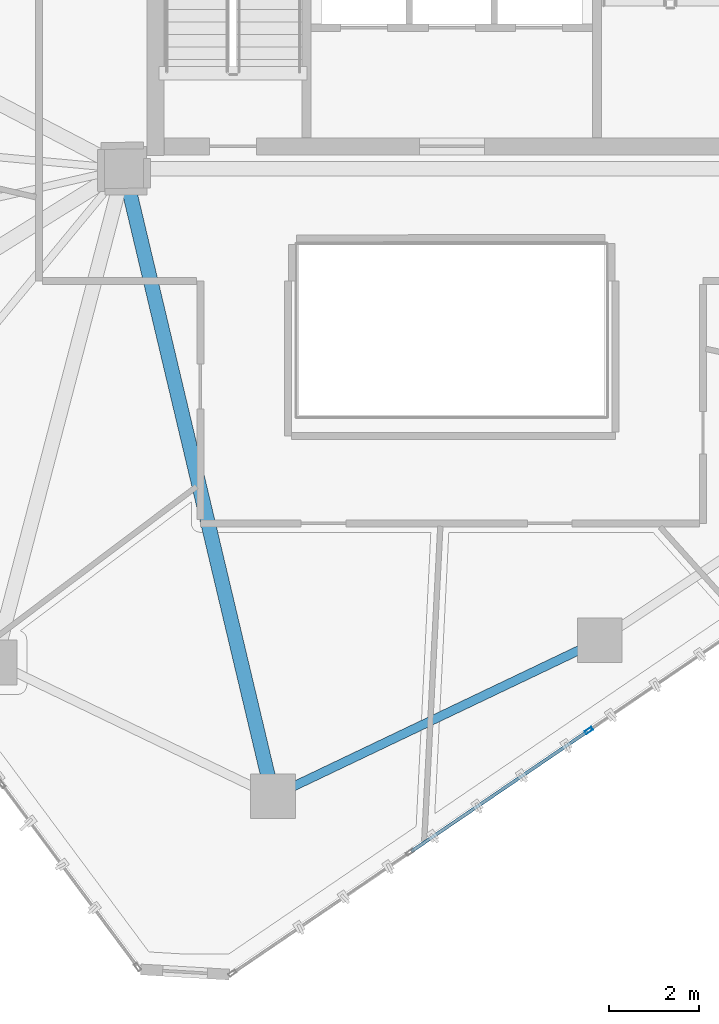
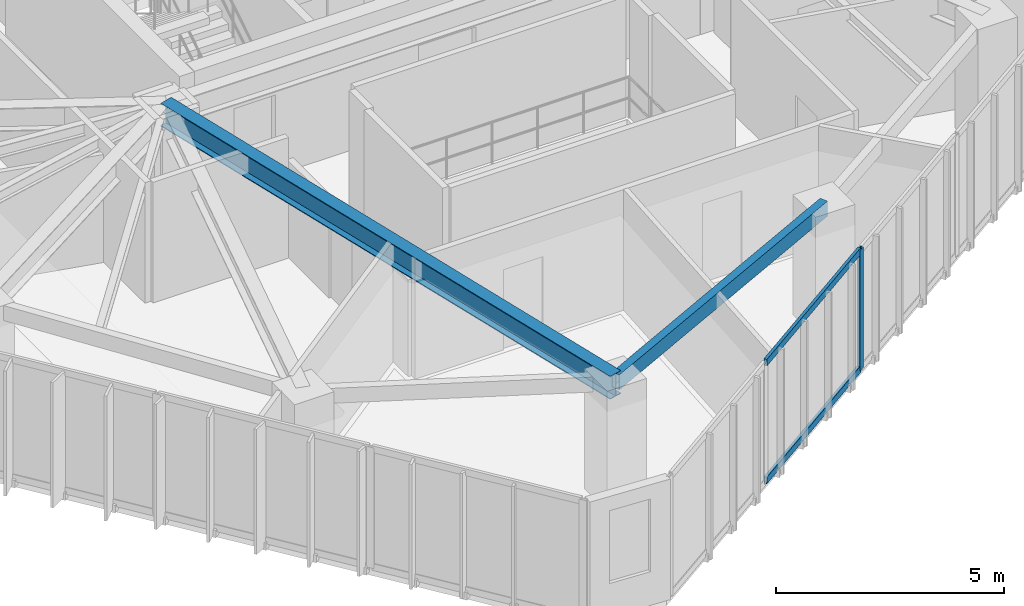
# One storey, part 4 of 20: 3 members, 2 beams, 1 element without a shape of its own.
"""IFC4 building model written with IfcOpenShell, lengths in metres."""

import ifcopenshell
import ifcopenshell.guid

model = None  # the IFC model being written
_history = None  # IfcOwnerHistory: only IFC2X3 demands one
_inside = {}  # id of a spatial element -> (the spatial element, [elements in it])
_under = {}  # id of a project, library or spatial element -> (it, [spatial elements below it])
_declared = {}  # id of a project -> (the project, [libraries it declares])
_typed = {}  # id of a type object -> (the type object, [elements of that type])
_made_of = {}  # id of a material, layer set ... -> (it, [elements and type objects made of it])


def new_model(schema):
    """Start an empty IFC model of exactly this schema.

    Asked for "IFC4X3", IfcOpenShell would pick the latest addendum, in which some entities
    have other attributes; the version numbers below select the first issue.
    IFC2X3 requires an IfcOwnerHistory on every rooted entity: one is made here for all.
    """
    global model, _history
    if schema == "IFC4X3":
        model = ifcopenshell.file(schema_version=(4, 3, 0, 0))
    else:
        model = ifcopenshell.file(schema=schema)
    _inside.clear()
    _under.clear()
    _declared.clear()
    _typed.clear()
    _made_of.clear()
    _history = None
    if model.schema == "IFC2X3":
        org = make("IfcOrganization", Name="unknown")
        user = make(
            "IfcPersonAndOrganization",
            ThePerson=make("IfcPerson", FamilyName="unknown"),
            TheOrganization=org,
        )
        app = make(
            "IfcApplication",
            ApplicationDeveloper=org,
            Version="unknown",
            ApplicationFullName="unknown",
            ApplicationIdentifier="unknown",
        )
        _history = make(
            "IfcOwnerHistory",
            OwningUser=user,
            OwningApplication=app,
            ChangeAction="ADDED",
            CreationDate=0,
        )
    return model


def make(cls, **values):
    """One entity of the class cls with the attributes given. An attribute that is None is left unset."""
    return model.create_entity(
        cls, **{name: value for name, value in values.items() if value is not None}
    )


def rooted(cls, **values):
    """An entity with a GlobalId (a new one), such as an element, a storey or a relation."""
    return make(cls, GlobalId=ifcopenshell.guid.new(), OwnerHistory=_history, **values)


def si_unit(unit_type, name, prefix=None):
    """IfcSIUnit, for example si_unit("LENGTHUNIT", "METRE", prefix="MILLI")."""
    return make("IfcSIUnit", UnitType=unit_type, Prefix=prefix, Name=name)


def assignment(units):
    """IfcUnitAssignment: the units of a project."""
    return None if units is None else make("IfcUnitAssignment", Units=units)


def point(xyz):
    """IfcCartesianPoint."""
    return None if xyz is None else make("IfcCartesianPoint", Coordinates=xyz)


def direction(xyz):
    """IfcDirection."""
    return None if xyz is None else make("IfcDirection", DirectionRatios=xyz)


def frame(location, z_axis=None, x_axis=None):
    """IfcAxis2Placement3D, a coordinate frame: its origin and axes. An axis left out is left unset."""
    return make(
        "IfcAxis2Placement3D",
        Location=point(location),
        Axis=direction(z_axis),
        RefDirection=direction(x_axis),
    )


def frame_2d(location, x_axis=None):
    """IfcAxis2Placement2D, a coordinate frame in the plane: its origin and x axis."""
    return make(
        "IfcAxis2Placement2D", Location=point(location), RefDirection=direction(x_axis)
    )


def origin():
    """The frame at (0, 0, 0) with its axes left unset."""
    return frame((0.0, 0.0, 0.0))


def origin_2d():
    """The frame at (0, 0) in the plane with its x axis left unset."""
    return frame_2d((0.0, 0.0))


def place(relative_to, where):
    """IfcLocalPlacement: puts the frame where relative to a parent placement (None: the world)."""
    return make(
        "IfcLocalPlacement", PlacementRelTo=relative_to, RelativePlacement=where
    )


def context(
    kind, dimensions, precision=None, world=None, true_north=None, identifier=None
):
    """IfcGeometricRepresentationContext, for example the 3D "Model" context."""
    return make(
        "IfcGeometricRepresentationContext",
        ContextIdentifier=identifier,
        ContextType=kind,
        CoordinateSpaceDimension=dimensions,
        Precision=precision,
        WorldCoordinateSystem=world,
        TrueNorth=true_north,
    )


def subcontext(parent, identifier, kind, view, scale=None):
    """IfcGeometricRepresentationSubContext, for example "Body" below "Model"."""
    return make(
        "IfcGeometricRepresentationSubContext",
        ContextIdentifier=identifier,
        ContextType=kind,
        ParentContext=parent,
        TargetScale=scale,
        TargetView=view,
    )


def project(units=None, contexts=None):
    """IfcProject with its units and contexts."""
    return rooted(
        "IfcProject",
        Name="project",
        RepresentationContexts=contexts,
        UnitsInContext=assignment(units),
    )


def spatial(cls, under=None, at=None, **own):
    """A site, building, storey or space (cls), placed at a placement, below another one or the project."""
    s = rooted(cls, ObjectPlacement=at, **own)
    if under is not None:
        _under.setdefault(under.id(), (under, []))[1].append(s)
    return s


def profile(cls, at=None, kind="AREA", **sizes):
    """A parametric profile (cls). Its sizes go by their IFC names, for example OverallWidth=200.0."""
    return make(cls, ProfileType=kind, Position=at, **sizes)


def hollow_rectangle(**sizes):
    """IfcRectangleHollowProfileDef."""
    return profile("IfcRectangleHollowProfileDef", **sizes)


def i_section(**sizes):
    """IfcIShapeProfileDef."""
    return profile("IfcIShapeProfileDef", **sizes)


def extrude(swept, where, along, depth):
    """IfcExtrudedAreaSolid: the profile swept, set in the frame where, extruded along a direction by depth."""
    return make(
        "IfcExtrudedAreaSolid",
        SweptArea=swept,
        Position=where,
        ExtrudedDirection=direction(along),
        Depth=depth,
    )


def shape(context_of_items, identifier, shape_type, items):
    """IfcShapeRepresentation: the items that make up one representation, for example the "Body"."""
    return make(
        "IfcShapeRepresentation",
        ContextOfItems=context_of_items,
        RepresentationIdentifier=identifier,
        RepresentationType=shape_type,
        Items=items,
    )


def source(mapping_origin, context_of_items, identifier, shape_type, items):
    """IfcRepresentationMap: a shape defined once, which mapped items show again and again."""
    return make(
        "IfcRepresentationMap",
        MappingOrigin=mapping_origin,
        MappedRepresentation=shape(context_of_items, identifier, shape_type, items),
    )


def transform(
    local_origin,
    x_axis=None,
    y_axis=None,
    z_axis=None,
    scale=None,
    scale2=None,
    scale3=None,
    uniform=True,
):
    """IfcCartesianTransformationOperator3D, or its non-uniform kind. x_axis, y_axis, z_axis: its Axis1, 2, 3."""
    if uniform:
        return make(
            "IfcCartesianTransformationOperator3D",
            Axis1=direction(x_axis),
            Axis2=direction(y_axis),
            LocalOrigin=point(local_origin),
            Scale=scale,
            Axis3=direction(z_axis),
        )
    return make(
        "IfcCartesianTransformationOperator3DnonUniform",
        Axis1=direction(x_axis),
        Axis2=direction(y_axis),
        LocalOrigin=point(local_origin),
        Scale=scale,
        Axis3=direction(z_axis),
        Scale2=scale2,
        Scale3=scale3,
    )


def mapped(mapping_source, mapping_target):
    """IfcMappedItem: shows the shape of a source again, moved by a transform."""
    return make(
        "IfcMappedItem", MappingSource=mapping_source, MappingTarget=mapping_target
    )


def material(Name=None, Category=None):
    """IfcMaterial."""
    return make("IfcMaterial", Name=Name, Category=Category)


def layer(
    of_material, thickness, ventilated=None, Name=None, Category=None, Priority=None
):
    """IfcMaterialLayer: one layer of a wall or slab, of a material (None: an air gap)."""
    return make(
        "IfcMaterialLayer",
        Material=of_material,
        LayerThickness=thickness,
        IsVentilated=ventilated,
        Name=Name,
        Category=Category,
        Priority=Priority,
    )


def layer_set(layers, Name=None):
    """IfcMaterialLayerSet."""
    return make("IfcMaterialLayerSet", MaterialLayers=layers, LayerSetName=Name)


def material_profile(
    of_material, cross_section, Name=None, Category=None, Priority=None
):
    """IfcMaterialProfile: a cross section and its material."""
    return make(
        "IfcMaterialProfile",
        Name=Name,
        Material=of_material,
        Profile=cross_section,
        Priority=Priority,
        Category=Category,
    )


def profile_set(profiles, Name=None, composite=None):
    """IfcMaterialProfileSet."""
    return make(
        "IfcMaterialProfileSet",
        Name=Name,
        MaterialProfiles=profiles,
        CompositeProfile=composite,
    )


def made_of(thing, what):
    """Note that an element or type object is made of a material, layer set ...; save() writes the relation."""
    if what is not None:
        _made_of.setdefault(what.id(), (what, []))[1].append(thing)
    return thing


def type_object(cls, material=None, **own):
    """A type object (cls), such as IfcWallType, which elements share."""
    return made_of(rooted(cls, **own), material)


def type_shapes(of_type, sources):
    """Give a type object the sources (RepresentationMaps) that its elements show as mapped items."""
    of_type.RepresentationMaps = sources


def element(
    cls,
    number,
    at=None,
    inside=None,
    cuts=None,
    type_object=None,
    material=None,
    context=None,
    identifier="Body",
    shape_type=None,
    held_by="IfcProductDefinitionShape",
    body=None,
    shapes=None,
    **own,
):
    """One element of the class cls, such as IfcWall. Its Tag is "e" and its number.

    at: its placement. inside: the storey or other place that contains it. cuts: it is an
    opening in that element (IfcRelVoidsElement). A single representation is given by context,
    identifier, shape_type and body (its items); several are given by shapes. held_by: the class
    of the entity that holds the representations. save() writes the other relations.
    """
    e = rooted(cls, Tag="e%d" % number, ObjectPlacement=at, **own)
    if body is not None:
        shapes = [shape(context, identifier, shape_type, body)]
    if shapes is not None:
        e.Representation = make(held_by, Representations=shapes)
    if inside is not None:
        _inside.setdefault(inside.id(), (inside, []))[1].append(e)
    if cuts is not None:
        rooted(
            "IfcRelVoidsElement", RelatingBuildingElement=cuts, RelatedOpeningElement=e
        )
    if type_object is not None:
        _typed.setdefault(type_object.id(), (type_object, []))[1].append(e)
    return made_of(e, material)


def aggregate(whole, parts):
    """IfcRelAggregates: a whole, such as a stair, and the parts it consists of."""
    return rooted("IfcRelAggregates", RelatingObject=whole, RelatedObjects=parts)


def save(model, path):
    """Write the relations noted so far, then the file.

    IfcRelAggregates (storeys below a building ...), IfcRelContainedInSpatialStructure (elements
    in a storey), IfcRelDefinesByType, IfcRelAssociatesMaterial and IfcRelDeclares: one each for
    every whole, place, type object, material and project.
    """
    for whole, parts in _under.values():
        aggregate(whole, parts)
    for where, things in _inside.values():
        rooted(
            "IfcRelContainedInSpatialStructure",
            RelatedElements=things,
            RelatingStructure=where,
        )
    for kind, things in _typed.values():
        rooted("IfcRelDefinesByType", RelatedObjects=things, RelatingType=kind)
    for what, things in _made_of.values():
        rooted("IfcRelAssociatesMaterial", RelatedObjects=things, RelatingMaterial=what)
    for by, libraries in _declared.values():
        rooted("IfcRelDeclares", RelatingContext=by, RelatedDefinitions=libraries)
    model.write(path)


model = new_model("IFC4")

# Units and contexts
model_context = context("Model", 3, precision=1e-05, world=origin(), true_north=direction((0.0, 1.0)))
body_context = subcontext(model_context, "Body", "Model", "MODEL_VIEW")
ifc_project = project(units=[si_unit("LENGTHUNIT", "METRE"), si_unit("AREAUNIT", "SQUARE_METRE"), si_unit("VOLUMEUNIT", "CUBIC_METRE"), si_unit("PLANEANGLEUNIT", "RADIAN"), si_unit("MASSUNIT", "GRAM", prefix="KILO")], contexts=[model_context])

# Site, building, storey
site_placement = place(None, origin())
site = spatial("IfcSite", under=ifc_project, at=site_placement, CompositionType="ELEMENT")
building_placement = place(site_placement, origin())
building = spatial("IfcBuilding", under=site, at=building_placement, Name="Talar Marvaseh", CompositionType="ELEMENT")
storey_placement = place(building_placement, frame((0.0, 0.0, 191.5)))
storey = spatial("IfcBuildingStorey", under=building, at=storey_placement, Name="L50", CompositionType="ELEMENT", Elevation=191.5)

# Beams
ifc_material_1 = material(Name="Steel S355", Category="steel")
ifc_material_profile_1 = material_profile(ifc_material_1, hollow_rectangle(XDim=0.199951171875, YDim=0.39990234375, WallThickness=0.013916015625, at=origin_2d()), Name="RHS400x200x14")
ifc_profile_set_1 = profile_set([ifc_material_profile_1], Name="Steel S355")
beam_type_1 = type_object("IfcBeamType", Name="Zone 3 Perimeter Spandrel Beam RHS400x200x14", PredefinedType="SPANDREL", material=ifc_profile_set_1)
beam_1_placement = place(storey_placement, frame((29.299072265625, 14.993896484375, 3.030029296875), z_axis=(-0.902562267408, -0.430559349511, 0.0), x_axis=(0.430559349511, -0.902562267408, 0.0)))
element("IfcBeam", 1, at=beam_1_placement, inside=storey, type_object=beam_type_1, Name="L50 Zone 3 Perimeter Spandrel Beam RHS400x200x14", PredefinedType="SPANDREL", context=body_context, shape_type="SweptSolid", body=[
    extrude(hollow_rectangle(XDim=0.199951171875, YDim=0.39990234375, WallThickness=0.013916015625, at=origin_2d()), origin(), (0.0, 0.0, 1.0), 8.070556640625),
])
ifc_material_profile_2 = material_profile(ifc_material_1, i_section(OverallWidth=0.324951171875, OverallDepth=0.615966796875, WebThickness=0.013916015625, FlangeThickness=0.021484375, at=origin_2d()), Name="W610x174")
ifc_profile_set_2 = profile_set([ifc_material_profile_2], Name="Steel S355")
beam_type_2 = type_object("IfcBeamType", Name="Zone 3 Radial Floor Girder W610x174", PredefinedType="BEAM", material=ifc_profile_set_2)
beam_2_placement = place(storey_placement, frame((22.014892578125, 11.51904296875, 2.922119140625), z_axis=(-0.230707708791, 0.973023099985, 0.0), x_axis=(-0.973023099985, -0.230707708791, 0.0)))
element("IfcBeam", 2, at=beam_2_placement, inside=storey, type_object=beam_type_2, Name="L50 Zone 3 Radial Floor Girder W610x174", PredefinedType="BEAM", context=body_context, shape_type="SweptSolid", body=[
    extrude(i_section(OverallWidth=0.324951171875, OverallDepth=0.615966796875, WebThickness=0.013916015625, FlangeThickness=0.021484375, at=origin_2d()), origin(), (0.0, 0.0, 1.0), 14.36865234375),
])

# Curtain wall, members
ifc_material_2 = material(Name="Architectural Aluminium", Category="aluminium")
ifc_layer = layer(ifc_material_2, 0.18994140625)
ifc_layer_set = layer_set([ifc_layer], Name="Architectural Aluminium")
curtain_wall_type = type_object("IfcCurtainWallType", Name="Unitised Solar Atelier Curtain Wall Z3", PredefinedType="NOTDEFINED", material=ifc_layer_set)
curtain_wall_placement = place(storey_placement, origin())
curtain_wall = element("IfcCurtainWall", 3, at=curtain_wall_placement, inside=storey, type_object=curtain_wall_type, Name="L50 Unitised Solar Atelier Curtain Wall Z3", PredefinedType="NOTDEFINED")
ifc_material_profile_3 = material_profile(ifc_material_2, hollow_rectangle(XDim=0.074951171875, YDim=0.179931640625, WallThickness=0.0048828125, at=origin_2d()), Name="RHS180x75x5")
ifc_profile_set_3 = profile_set([ifc_material_profile_3], Name="Architectural Aluminium")
member_type_1 = type_object("IfcMemberType", Name="Unitised Curtain Wall Standard Mullion RHS180x75x5", PredefinedType="MULLION", material=ifc_profile_set_3)
shared_shape_1 = source(origin(), body_context, "Body", "SweptSolid", [
    extrude(hollow_rectangle(XDim=0.074951171875, YDim=0.179931640625, WallThickness=0.0048828125, at=origin_2d()), origin(), (0.0, 0.0, 1.0), 3.22998046875),
])
type_shapes(member_type_1, [shared_shape_1])
member_1_placement = place(storey_placement, frame((29.054931640625, 12.98388671875, 0.0), z_axis=(0.0, 0.0, 1.0), x_axis=(0.562931836617, -0.826503325657, 0.0)))
member_1 = element("IfcMember", 4, at=member_1_placement, type_object=member_type_1, Name="CW-Z3 mullion 3", PredefinedType="MULLION", context=body_context, shape_type="MappedRepresentation", body=[
    mapped(shared_shape_1, transform((0.0, 0.0, 0.0), x_axis=(1.0, 0.0, 0.0), y_axis=(0.0, 1.0, 0.0), z_axis=(0.0, 0.0, 1.0), scale=1.0)),
])
ifc_material_profile_4 = material_profile(ifc_material_2, hollow_rectangle(XDim=0.074951171875, YDim=0.179931640625, WallThickness=0.0048828125, at=origin_2d()), Name="RHS180x75x5")
ifc_profile_set_4 = profile_set([ifc_material_profile_4], Name="Architectural Aluminium")
member_type_2 = type_object("IfcMemberType", Name="Unitised Curtain Wall Transom RHS180x75x5", PredefinedType="USERDEFINED", material=ifc_profile_set_4)
shared_shape_2 = source(origin(), body_context, "Body", "SweptSolid", [
    extrude(hollow_rectangle(XDim=0.074951171875, YDim=0.179931640625, WallThickness=0.0048828125, at=origin_2d()), origin(), (0.0, 0.0, 1.0), 4.747314453125),
])
type_shapes(member_type_2, [shared_shape_2])
member_2_placement = place(storey_placement, frame((29.02392578125, 12.962890625, 0.03759765625), z_axis=(-0.826502519199, -0.562933020668, 0.0), x_axis=(0.562933020668, -0.826502519199, 0.0)))
member_2 = element("IfcMember", 5, at=member_2_placement, type_object=member_type_2, Name="CW-Z3 transom 3.1", ObjectType="TRANSOM", PredefinedType="USERDEFINED", context=body_context, shape_type="MappedRepresentation", body=[
    mapped(shared_shape_2, transform((0.0, 0.0, 0.0), x_axis=(1.0, 0.0, 0.0), y_axis=(0.0, 1.0, 0.0), z_axis=(0.0, 0.0, 1.0), scale=1.0)),
])
member_3_placement = place(storey_placement, frame((29.02392578125, 12.962890625, 3.1923828125), z_axis=(-0.826502519199, -0.562933020668, 0.0), x_axis=(0.562933020668, -0.826502519199, 0.0)))
member_3 = element("IfcMember", 6, at=member_3_placement, type_object=member_type_2, Name="CW-Z3 transom 3.2", ObjectType="TRANSOM", PredefinedType="USERDEFINED", context=body_context, shape_type="MappedRepresentation", body=[
    mapped(shared_shape_2, transform((0.0, 0.0, 0.0), x_axis=(1.0, 0.0, 0.0), y_axis=(0.0, 1.0, 0.0), z_axis=(0.0, 0.0, 1.0), scale=1.0)),
])
aggregate(curtain_wall, [member_1, member_2, member_3])

save(model, "model.ifc")
